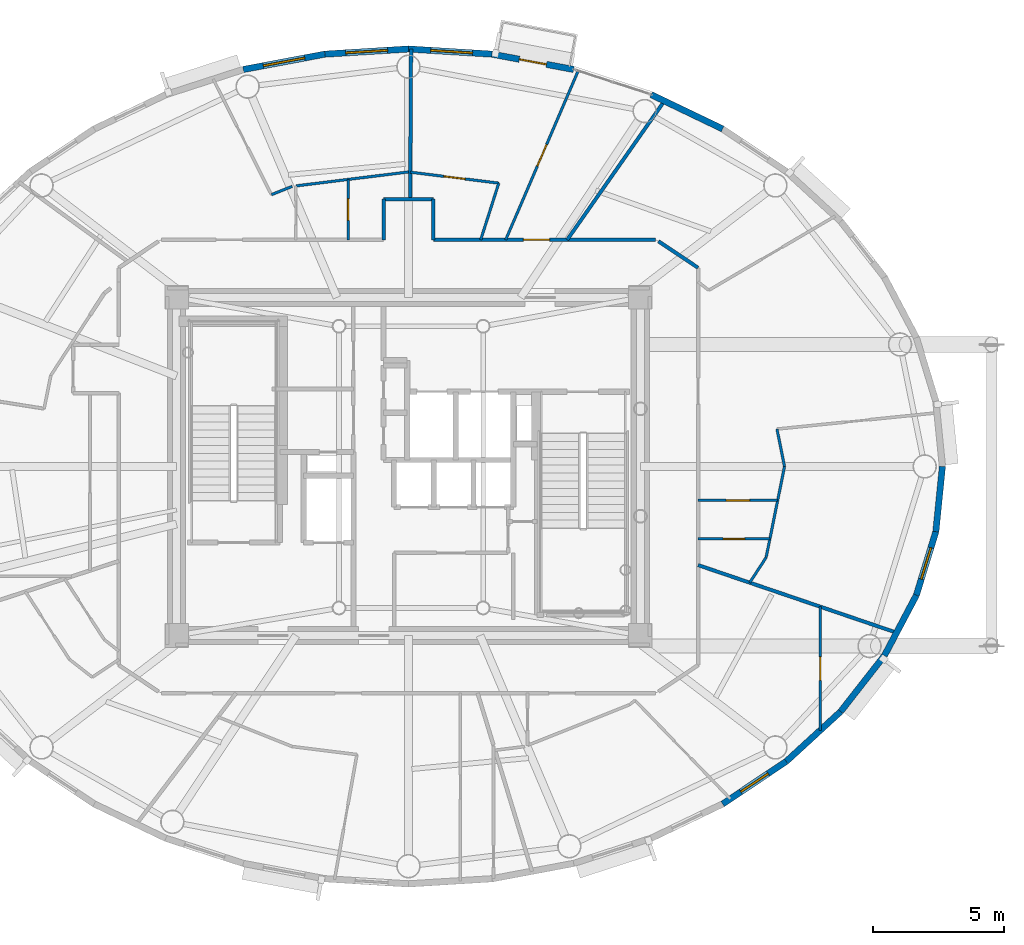
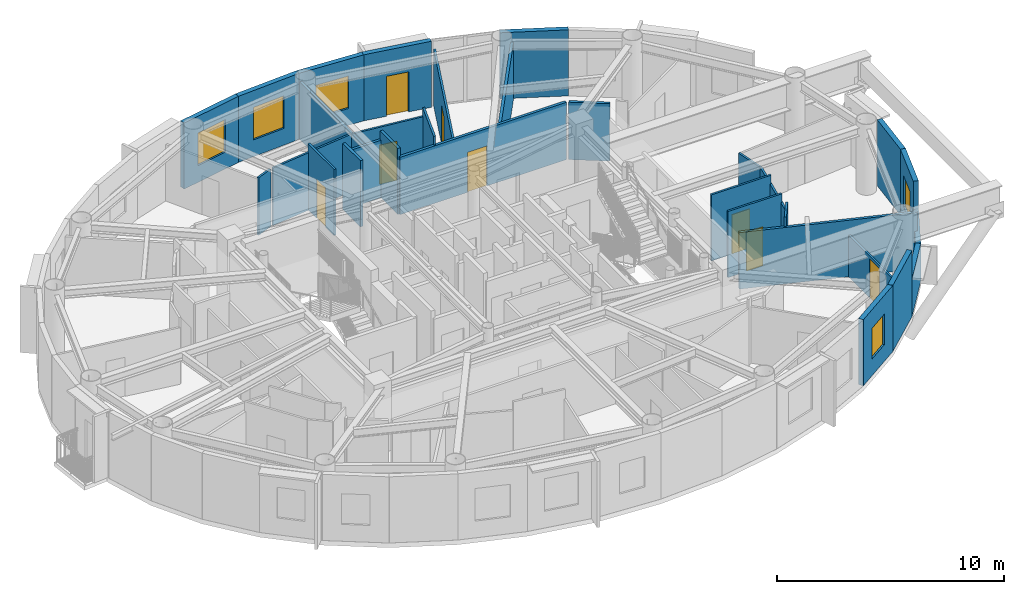
# One storey, part 9 of 17: 31 walls, 8 doors, 5 windows, 13 openings.
"""IFC4 building model written with IfcOpenShell, lengths in metres."""

from ifc_helpers import new_model, si_unit, direction, frame, frame_2d, origin, origin_2d, place, context, subcontext, project, spatial, rectangle, extrude, source, transform, mapped, material, layer, layer_set, type_object, element, fill, save


model = new_model("IFC4")

# Units and contexts
model_context = context("Model", 3, precision=1e-05, world=origin(), true_north=direction((0.0, 1.0)))
body_context = subcontext(model_context, "Body", "Model", "MODEL_VIEW")
ifc_project = project(units=[si_unit("LENGTHUNIT", "METRE"), si_unit("AREAUNIT", "SQUARE_METRE"), si_unit("VOLUMEUNIT", "CUBIC_METRE"), si_unit("PLANEANGLEUNIT", "RADIAN"), si_unit("MASSUNIT", "GRAM", prefix="KILO")], contexts=[model_context])

# Site, building, storey
site_placement = place(None, origin())
site = spatial("IfcSite", under=ifc_project, at=site_placement, CompositionType="ELEMENT")
building_placement = place(site_placement, origin())
building = spatial("IfcBuilding", under=site, at=building_placement, Name="Linh Dai School and Residence Tower", CompositionType="ELEMENT")
storey_placement = place(building_placement, frame((0.0, 0.0, 335.39990234375)))
storey = spatial("IfcBuildingStorey", under=building, at=storey_placement, Name="L83", CompositionType="ELEMENT", Elevation=335.39990234375)

# Wall
ifc_material_1 = material(Name="Precast Concrete B45 (C35/45)", Category="concrete")
ifc_layer_1 = layer(ifc_material_1, 0.239990234375)
ifc_layer_set_1 = layer_set([ifc_layer_1], Name="Precast Concrete B45 (C35/45)")
wall_type_1 = type_object("IfcWallType", Name="EW-TC-240", PredefinedType="SOLIDWALL", material=ifc_layer_set_1)
wall_1_placement = place(storey_placement, frame((45.260498046875, 41.18896484375, 0.0), z_axis=(0.0, 0.0, 1.0), x_axis=(0.901557057889, -0.432660226241, 0.0)))
element("IfcWall", 1, at=wall_1_placement, inside=storey, type_object=wall_type_1, Name="L83 Terracotta Exterior Wall 07", PredefinedType="SOLIDWALL", context=body_context, shape_type="SweptSolid", body=[
    extrude(rectangle(XDim=3.025146484375, YDim=0.239990234375, at=frame_2d((1.5126953125, 0.0))), origin(), (0.0, 0.0, 1.0), 3.550048828125),
])

# Wall, opening, door
wall_2_placement = place(storey_placement, frame((39.19140625, 42.7333984375, 0.0), z_axis=(0.0, 0.0, 1.0), x_axis=(0.98276643264, -0.184851667226, 0.0)))
wall_2 = element("IfcWall", 2, at=wall_2_placement, inside=storey, type_object=wall_type_1, Name="L83 Terracotta Exterior Wall 09", PredefinedType="SOLIDWALL", context=body_context, shape_type="SweptSolid", body=[
    extrude(rectangle(XDim=3.167236328125, YDim=0.239990234375, at=frame_2d((1.58349609375, 0.0))), origin(), (0.0, 0.0, 1.0), 3.550048828125),
])
opening_1_placement = place(wall_2_placement, frame((1.05859375, 0.0, 0.0)))
opening_1 = element("IfcOpeningElement", 3, at=opening_1_placement, cuts=wall_2, Name="Opening BD1", PredefinedType="OPENING", context=body_context, shape_type="SweptSolid", body=[
    extrude(rectangle(XDim=1.050048828125, YDim=2.14990234375, at=origin_2d()), frame((0.52490234375, 0.1298828125, 1.074951171875), z_axis=(0.0, -1.0, 0.0), x_axis=(1.0, 0.0, 0.0)), (0.0, 0.0, 1.0), 0.260009765625),
])
ifc_material_2 = material(Name="Double-Glazed Balcony Door", Category="glass")
door_type_1 = type_object("IfcDoorType", Name="DR-BALC-1050x2150", OperationType="NOTDEFINED", PredefinedType="DOOR", material=ifc_material_2)
shared_shape_1 = source(origin(), body_context, "Body", "SweptSolid", [
    extrude(rectangle(XDim=1.050048828125, YDim=2.14990234375, at=origin_2d()), frame((0.52490234375, 0.02490234375, 1.074951171875), z_axis=(0.0, -1.0, 0.0), x_axis=(1.0, 0.0, 0.0)), (0.0, 0.0, 1.0), 0.050048828125),
])
door_1_placement = place(opening_1_placement, origin())
door_1 = element("IfcDoor", 4, at=door_1_placement, inside=storey, type_object=door_type_1, Name="L83 Glazed Balcony Door 09", OperationType="SINGLE_SWING_RIGHT", OverallHeight=2.14990234375, OverallWidth=1.050048828125, PredefinedType="DOOR", context=body_context, shape_type="MappedRepresentation", body=[
    mapped(shared_shape_1, transform((0.0, 0.0, 0.0), x_axis=(1.0, 0.0, 0.0), y_axis=(0.0, 1.0, 0.0), z_axis=(0.0, 0.0, 1.0), scale=1.0)),
])
fill(opening_1, door_1)

# Wall, opening, window
wall_3_placement = place(storey_placement, frame((36.0, 42.929931640625, 0.0), z_axis=(0.0, 0.0, 1.0), x_axis=(0.998109204399, -0.061465568355, 0.0)))
wall_3 = element("IfcWall", 5, at=wall_3_placement, inside=storey, type_object=wall_type_1, Name="L83 Terracotta Exterior Wall 10", PredefinedType="SOLIDWALL", context=body_context, shape_type="SweptSolid", body=[
    extrude(rectangle(XDim=3.197509765625, YDim=0.239990234375, at=frame_2d((1.5986328125, 0.0))), origin(), (0.0, 0.0, 1.0), 3.550048828125),
])
opening_2_placement = place(wall_3_placement, frame((0.847900390625, 0.0, 0.89990234375)))
opening_2 = element("IfcOpeningElement", 6, at=opening_2_placement, cuts=wall_3, Name="Opening W2", PredefinedType="OPENING", context=body_context, shape_type="SweptSolid", body=[
    extrude(rectangle(XDim=1.60009765625, YDim=1.75, at=origin_2d()), frame((0.800048828125, 0.1298828125, 0.875), z_axis=(0.0, -1.0, 0.0), x_axis=(1.0, 0.0, 0.0)), (0.0, 0.0, 1.0), 0.260009765625),
])
ifc_material_3 = material(Name="Double Low-E Insulated Glazing", Category="glass")
window_type_1 = type_object("IfcWindowType", Name="WN-RES-1600x1750", PartitioningType="DOUBLE_PANEL_VERTICAL", PredefinedType="WINDOW", material=ifc_material_3)
shared_shape_2 = source(origin(), body_context, "Body", "SweptSolid", [
    extrude(rectangle(XDim=1.60009765625, YDim=1.75, at=origin_2d()), frame((0.800048828125, 0.030029296875, 0.875), z_axis=(0.0, -1.0, 0.0), x_axis=(1.0, 0.0, 0.0)), (0.0, 0.0, 1.0), 0.06005859375),
])
window_1_placement = place(opening_2_placement, origin())
window_1 = element("IfcWindow", 7, at=window_1_placement, inside=storey, type_object=window_type_1, Name="L83 Exterior Window 10.1", OverallHeight=1.75, OverallWidth=1.60009765625, PartitioningType="DOUBLE_PANEL_VERTICAL", PredefinedType="WINDOW", context=body_context, shape_type="MappedRepresentation", body=[
    mapped(shared_shape_2, transform((0.0, 0.0, 0.0), x_axis=(1.0, 0.0, 0.0), y_axis=(0.0, 1.0, 0.0), z_axis=(0.0, 0.0, 1.0), scale=1.0)),
])
fill(opening_2, window_1)

wall_4_placement = place(storey_placement, frame((32.80859375, 42.7333984375, 0.0), z_axis=(0.0, 0.0, 1.0), x_axis=(0.998109204399, 0.061465568355, 0.0)))
wall_4 = element("IfcWall", 8, at=wall_4_placement, inside=storey, type_object=wall_type_1, Name="L83 Terracotta Exterior Wall 11", PredefinedType="SOLIDWALL", context=body_context, shape_type="SweptSolid", body=[
    extrude(rectangle(XDim=3.197509765625, YDim=0.239990234375, at=frame_2d((1.5986328125, 0.0))), origin(), (0.0, 0.0, 1.0), 3.550048828125),
])
opening_3_placement = place(wall_4_placement, frame((0.798828125, 0.0, 0.89990234375)))
opening_3 = element("IfcOpeningElement", 9, at=opening_3_placement, cuts=wall_4, Name="Opening W2", PredefinedType="OPENING", context=body_context, shape_type="SweptSolid", body=[
    extrude(rectangle(XDim=1.60009765625, YDim=1.75, at=origin_2d()), frame((0.800048828125, 0.1298828125, 0.875), z_axis=(0.0, -1.0, 0.0), x_axis=(1.0, 0.0, 0.0)), (0.0, 0.0, 1.0), 0.260009765625),
])
window_2_placement = place(opening_3_placement, origin())
window_2 = element("IfcWindow", 10, at=window_2_placement, inside=storey, type_object=window_type_1, Name="L83 Exterior Window 11.1", OverallHeight=1.75, OverallWidth=1.60009765625, PartitioningType="DOUBLE_PANEL_VERTICAL", PredefinedType="WINDOW", context=body_context, shape_type="MappedRepresentation", body=[
    mapped(shared_shape_2, transform((0.0, 0.0, 0.0), x_axis=(1.0, 0.0, 0.0), y_axis=(0.0, 1.0, 0.0), z_axis=(0.0, 0.0, 1.0), scale=1.0)),
])
fill(opening_3, window_2)

wall_5_placement = place(storey_placement, frame((29.696044921875, 42.14794921875, 0.0), z_axis=(0.0, 0.0, 1.0), x_axis=(0.98276643264, 0.184851667226, 0.0)))
wall_5 = element("IfcWall", 11, at=wall_5_placement, inside=storey, type_object=wall_type_1, Name="L83 Terracotta Exterior Wall 12", PredefinedType="SOLIDWALL", context=body_context, shape_type="SweptSolid", body=[
    extrude(rectangle(XDim=3.167236328125, YDim=0.239990234375, at=frame_2d((1.58349609375, 0.0))), origin(), (0.0, 0.0, 1.0), 3.550048828125),
])
opening_4_placement = place(wall_5_placement, frame((0.78369140625, 0.0, 0.89990234375)))
opening_4 = element("IfcOpeningElement", 12, at=opening_4_placement, cuts=wall_5, Name="Opening W2", PredefinedType="OPENING", context=body_context, shape_type="SweptSolid", body=[
    extrude(rectangle(XDim=1.60009765625, YDim=1.75, at=origin_2d()), frame((0.800048828125, 0.1298828125, 0.875), z_axis=(0.0, -1.0, 0.0), x_axis=(1.0, 0.0, 0.0)), (0.0, 0.0, 1.0), 0.260009765625),
])
window_3_placement = place(opening_4_placement, origin())
window_3 = element("IfcWindow", 13, at=window_3_placement, inside=storey, type_object=window_type_1, Name="L83 Exterior Window 12.1", OverallHeight=1.75, OverallWidth=1.60009765625, PartitioningType="DOUBLE_PANEL_VERTICAL", PredefinedType="WINDOW", context=body_context, shape_type="MappedRepresentation", body=[
    mapped(shared_shape_2, transform((0.0, 0.0, 0.0), x_axis=(1.0, 0.0, 0.0), y_axis=(0.0, 1.0, 0.0), z_axis=(0.0, 0.0, 1.0), scale=1.0)),
])
fill(opening_4, window_3)

wall_6_placement = place(storey_placement, frame((50.418701171875, 15.745849609375, 0.0), z_axis=(0.0, 0.0, 1.0), x_axis=(-0.831201688654, -0.555970999944, 0.0)))
wall_6 = element("IfcWall", 14, at=wall_6_placement, inside=storey, type_object=wall_type_1, Name="L83 Terracotta Exterior Wall 35", PredefinedType="SOLIDWALL", context=body_context, shape_type="SweptSolid", body=[
    extrude(rectangle(XDim=2.924560546875, YDim=0.239990234375, at=frame_2d((1.46240234375, 0.0))), origin(), (0.0, 0.0, 1.0), 3.550048828125),
])
opening_5_placement = place(wall_6_placement, frame((0.837158203125, 0.0, 0.89990234375)))
opening_5 = element("IfcOpeningElement", 15, at=opening_5_placement, cuts=wall_6, Name="Opening W3", PredefinedType="OPENING", context=body_context, shape_type="SweptSolid", body=[
    extrude(rectangle(XDim=1.25, YDim=1.64990234375, at=origin_2d()), frame((0.625, 0.1298828125, 0.824951171875), z_axis=(0.0, -1.0, 0.0), x_axis=(1.0, 0.0, 0.0)), (0.0, 0.0, 1.0), 0.260009765625),
])
window_type_2 = type_object("IfcWindowType", Name="WN-RES-1250x1650", PartitioningType="SINGLE_PANEL", PredefinedType="WINDOW", material=ifc_material_3)
shared_shape_3 = source(origin(), body_context, "Body", "SweptSolid", [
    extrude(rectangle(XDim=1.25, YDim=1.64990234375, at=origin_2d()), frame((0.625, 0.030029296875, 0.824951171875), z_axis=(0.0, -1.0, 0.0), x_axis=(1.0, 0.0, 0.0)), (0.0, 0.0, 1.0), 0.06005859375),
])
window_4_placement = place(opening_5_placement, origin())
window_4 = element("IfcWindow", 16, at=window_4_placement, inside=storey, type_object=window_type_2, Name="L83 Dwelling Window U8306-LIV", OverallHeight=1.64990234375, OverallWidth=1.25, PartitioningType="SINGLE_PANEL", PredefinedType="WINDOW", context=body_context, shape_type="MappedRepresentation", body=[
    mapped(shared_shape_3, transform((0.0, 0.0, 0.0), x_axis=(1.0, 0.0, 0.0), y_axis=(0.0, 1.0, 0.0), z_axis=(0.0, 0.0, 1.0), scale=1.0)),
])
fill(opening_5, window_4)

# Walls
wall_7_placement = place(storey_placement, frame((52.4931640625, 17.648193359375, 0.0), z_axis=(0.0, 0.0, 1.0), x_axis=(-0.737020907932, -0.675869944051, 0.0)))
element("IfcWall", 17, at=wall_7_placement, inside=storey, type_object=wall_type_1, Name="L83 Terracotta Exterior Wall 36", PredefinedType="SOLIDWALL", context=body_context, shape_type="SweptSolid", body=[
    extrude(rectangle(XDim=2.814697265625, YDim=0.239990234375, at=frame_2d((1.4072265625, 0.0))), origin(), (0.0, 0.0, 1.0), 3.550048828125),
])
wall_8_placement = place(storey_placement, frame((54.160888671875, 19.779296875, 0.0), z_axis=(0.0, 0.0, 1.0), x_axis=(-0.616286367698, -0.78752213492, 0.0)))
element("IfcWall", 18, at=wall_8_placement, inside=storey, type_object=wall_type_1, Name="L83 Terracotta Exterior Wall 37", PredefinedType="SOLIDWALL", context=body_context, shape_type="SweptSolid", body=[
    extrude(rectangle(XDim=2.7060546875, YDim=0.239990234375, at=frame_2d((1.35302734375, 0.0))), origin(), (0.0, 0.0, 1.0), 2.03515625),
])
wall_9_placement = place(storey_placement, frame((55.381103515625, 22.086669921875, 0.0), z_axis=(0.0, 0.0, 1.0), x_axis=(-0.467487999989, -0.883999417345, 0.0)))
element("IfcWall", 19, at=wall_9_placement, inside=storey, type_object=wall_type_1, Name="L83 Terracotta Exterior Wall 38", PredefinedType="SOLIDWALL", context=body_context, shape_type="SweptSolid", body=[
    extrude(rectangle(XDim=2.610107421875, YDim=0.239990234375, at=frame_2d((1.30517578125, 0.0))), origin(), (0.0, 0.0, 1.0), 2.03515625),
])

# Wall, opening, window
wall_10_placement = place(storey_placement, frame((56.125, 24.51318359375, 0.0), z_axis=(0.0, 0.0, 1.0), x_axis=(-0.293105547213, -0.956080089842, 0.0)))
wall_10 = element("IfcWall", 20, at=wall_10_placement, inside=storey, type_object=wall_type_1, Name="L83 Terracotta Exterior Wall 39", PredefinedType="SOLIDWALL", context=body_context, shape_type="SweptSolid", body=[
    extrude(rectangle(XDim=2.5380859375, YDim=0.239990234375, at=frame_2d((1.26904296875, 0.0))), origin(), (0.0, 0.0, 1.0), 3.550048828125),
])
opening_6_placement = place(wall_10_placement, frame((0.64404296875, 0.0, 0.89990234375)))
opening_6 = element("IfcOpeningElement", 21, at=opening_6_placement, cuts=wall_10, Name="Opening W3", PredefinedType="OPENING", context=body_context, shape_type="SweptSolid", body=[
    extrude(rectangle(XDim=1.25, YDim=1.64990234375, at=origin_2d()), frame((0.625, 0.1298828125, 0.824951171875), z_axis=(0.0, -1.0, 0.0), x_axis=(1.0, 0.0, 0.0)), (0.0, 0.0, 1.0), 0.260009765625),
])
window_5_placement = place(opening_6_placement, origin())
window_5 = element("IfcWindow", 22, at=window_5_placement, inside=storey, type_object=window_type_2, Name="L83 Dwelling Window U8307-BD1", OverallHeight=1.64990234375, OverallWidth=1.25, PartitioningType="SINGLE_PANEL", PredefinedType="WINDOW", context=body_context, shape_type="MappedRepresentation", body=[
    mapped(shared_shape_3, transform((0.0, 0.0, 0.0), x_axis=(1.0, 0.0, 0.0), y_axis=(0.0, 1.0, 0.0), z_axis=(0.0, 0.0, 1.0), scale=1.0)),
])
fill(opening_6, window_5)

# Walls
wall_11_placement = place(storey_placement, frame((56.375, 27.0, 0.0), z_axis=(0.0, 0.0, 1.0), x_axis=(-0.100025963401, -0.994984827344, 0.0)))
element("IfcWall", 23, at=wall_11_placement, inside=storey, type_object=wall_type_1, Name="L83 Terracotta Exterior Wall 40", PredefinedType="SOLIDWALL", context=body_context, shape_type="SweptSolid", body=[
    extrude(rectangle(XDim=2.499267578125, YDim=0.239990234375, at=frame_2d((1.24951171875, 0.0))), origin(), (0.0, 0.0, 1.0), 3.550048828125),
])
ifc_material_4 = material(Name="Autoclaved Aerated Concrete Blockwork", Category="masonry")
ifc_layer_2 = layer(ifc_material_4, 0.135009765625)
ifc_layer_set_2 = layer_set([ifc_layer_2], Name="Autoclaved Aerated Concrete Blockwork")
wall_type_2 = type_object("IfcWallType", Name="IW-CORR-135-EI90", PredefinedType="PARTITIONING", material=ifc_layer_set_2)
wall_12_placement = place(storey_placement, frame((35.050048828125, 35.64990234375, 0.0), z_axis=(0.0, 0.0, 1.0), x_axis=(0.0, 1.0, 0.0)))
element("IfcWall", 24, at=wall_12_placement, inside=storey, type_object=wall_type_2, Name="L83 Interior Partition Wall 046", PredefinedType="PARTITIONING", context=body_context, shape_type="SweptSolid", body=[
    extrude(rectangle(XDim=1.550048828125, YDim=0.135009765625, at=frame_2d((0.77490234375, 0.0))), origin(), (0.0, 0.0, 1.0), 3.550048828125),
])
wall_13_placement = place(storey_placement, frame((35.050048828125, 37.199951171875, 0.0), z_axis=(0.0, 0.0, 1.0), x_axis=(1.0, 0.0, 0.0)))
element("IfcWall", 25, at=wall_13_placement, inside=storey, type_object=wall_type_2, Name="L83 Interior Partition Wall 047", PredefinedType="PARTITIONING", context=body_context, shape_type="SweptSolid", body=[
    extrude(rectangle(XDim=1.89990234375, YDim=0.135009765625, at=frame_2d((0.949951171875, 0.0))), origin(), (0.0, 0.0, 1.0), 3.085205078125),
])
wall_14_placement = place(storey_placement, frame((36.063232421875, 37.199951171875, 0.0), z_axis=(0.0, 0.0, 1.0), x_axis=(0.006221912379, 0.999980643716, 0.0)))
element("IfcWall", 26, at=wall_14_placement, inside=storey, type_object=wall_type_2, Name="L83 Interior Partition Wall 054", PredefinedType="PARTITIONING", context=body_context, shape_type="SweptSolid", body=[
    extrude(rectangle(XDim=5.728759765625, YDim=0.135009765625, at=frame_2d((2.8642578125, 0.0))), origin(), (0.0, 0.0, 1.0), 3.085205078125),
])
wall_15_placement = place(storey_placement, frame((36.949951171875, 35.64990234375, 0.0), z_axis=(0.0, 0.0, 1.0), x_axis=(0.0, 1.0, 0.0)))
element("IfcWall", 27, at=wall_15_placement, inside=storey, type_object=wall_type_2, Name="L83 Interior Partition Wall 056", PredefinedType="PARTITIONING", context=body_context, shape_type="SweptSolid", body=[
    extrude(rectangle(XDim=1.550048828125, YDim=0.135009765625, at=frame_2d((0.77490234375, 0.0))), origin(), (0.0, 0.0, 1.0), 3.550048828125),
])

# Wall, opening, door
wall_16_placement = place(storey_placement, frame((36.949951171875, 35.64990234375, 0.0), z_axis=(0.0, 0.0, 1.0), x_axis=(1.0, 0.0, 0.0)))
wall_16 = element("IfcWall", 28, at=wall_16_placement, inside=storey, type_object=wall_type_2, Name="L83 Interior Partition Wall 057", PredefinedType="PARTITIONING", context=body_context, shape_type="SweptSolid", body=[
    extrude(rectangle(XDim=8.469970703125, YDim=0.135009765625, at=frame_2d((4.23486328125, 0.0))), origin(), (0.0, 0.0, 1.0), 3.085205078125),
])
opening_7_placement = place(wall_16_placement, frame((3.43408203125, 0.0, 0.0)))
opening_7 = element("IfcOpeningElement", 29, at=opening_7_placement, cuts=wall_16, Name="Opening D03", PredefinedType="OPENING", context=body_context, shape_type="SweptSolid", body=[
    extrude(rectangle(XDim=1.0, YDim=2.14990234375, at=origin_2d()), frame((0.5, 0.07763671875, 1.074951171875), z_axis=(0.0, -1.0, 0.0), x_axis=(1.0, 0.0, 0.0)), (0.0, 0.0, 1.0), 0.155029296875),
])
ifc_material_5 = material(Name="Fire-Rated Solid Timber Entrance Door", Category="wood")
door_type_2 = type_object("IfcDoorType", Name="DR-FLAT-1000x2150-FD60S", OperationType="NOTDEFINED", PredefinedType="DOOR", material=ifc_material_5)
shared_shape_4 = source(origin(), body_context, "Body", "SweptSolid", [
    extrude(rectangle(XDim=1.0, YDim=2.14990234375, at=origin_2d()), frame((0.5, 0.02490234375, 1.074951171875), z_axis=(0.0, -1.0, 0.0), x_axis=(1.0, 0.0, 0.0)), (0.0, 0.0, 1.0), 0.050048828125),
])
door_2_placement = place(opening_7_placement, origin())
door_2 = element("IfcDoor", 30, at=door_2_placement, inside=storey, type_object=door_type_2, Name="L83 U8301 Apartment Entrance Door", OperationType="SINGLE_SWING_RIGHT", OverallHeight=2.14990234375, OverallWidth=1.0, PredefinedType="DOOR", context=body_context, shape_type="MappedRepresentation", body=[
    mapped(shared_shape_4, transform((0.0, 0.0, 0.0), x_axis=(1.0, 0.0, 0.0), y_axis=(0.0, 1.0, 0.0), z_axis=(0.0, 0.0, 1.0), scale=1.0)),
])
fill(opening_7, door_2)

# Walls
wall_17_placement = place(storey_placement, frame((42.056884765625, 35.64990234375, 0.0), z_axis=(0.0, 0.0, 1.0), x_axis=(0.57355349769, 0.819168105634, 0.0)))
element("IfcWall", 31, at=wall_17_placement, inside=storey, type_object=wall_type_2, Name="L83 Interior Partition Wall 076", PredefinedType="PARTITIONING", context=body_context, shape_type="SweptSolid", body=[
    extrude(rectangle(XDim=6.470947265625, YDim=0.135009765625, at=frame_2d((3.2353515625, 0.0))), origin(), (0.0, 0.0, 1.0), 3.03515625),
])
wall_18_placement = place(storey_placement, frame((45.541259765625, 35.591796875, 0.0), z_axis=(0.0, 0.0, 1.0), x_axis=(0.831180227396, -0.556003084151, 0.0)))
element("IfcWall", 32, at=wall_18_placement, inside=storey, type_object=wall_type_2, Name="L83 Interior Partition Wall 080", PredefinedType="PARTITIONING", context=body_context, shape_type="SweptSolid", body=[
    extrude(rectangle(XDim=1.815185546875, YDim=0.135009765625, at=frame_2d((0.90771484375, 0.0))), origin(), (0.0, 0.0, 1.0), 3.085205078125),
])
wall_19_placement = place(storey_placement, frame((47.050048828125, 23.236572265625, 0.0), z_axis=(0.0, 0.0, 1.0), x_axis=(0.946614475353, -0.32236785673, 0.0)))
element("IfcWall", 33, at=wall_19_placement, inside=storey, type_object=wall_type_2, Name="L83 Interior Partition Wall 082", PredefinedType="PARTITIONING", context=body_context, shape_type="SweptSolid", body=[
    extrude(rectangle(XDim=8.00732421875, YDim=0.135009765625, at=frame_2d((4.003662109375, 0.0))), origin(), (0.0, 0.0, 1.0), 3.03515625),
])
ifc_material_6 = material(Name="Gypsum Plasterboard Acoustic Stud Partition", Category="masonry")
ifc_layer_3 = layer(ifc_material_6, 0.10009765625)
ifc_layer_set_3 = layer_set([ifc_layer_3], Name="Gypsum Plasterboard Acoustic Stud Partition")
wall_type_3 = type_object("IfcWallType", Name="IW-UNIT-100", PredefinedType="PARTITIONING", material=ifc_layer_set_3)
wall_20_placement = place(storey_placement, frame((30.770751953125, 37.371337890625, 0.0), z_axis=(0.0, 0.0, 1.0), x_axis=(0.928810758689, 0.370554415091, 0.0)))
element("IfcWall", 34, at=wall_20_placement, inside=storey, type_object=wall_type_3, Name="L83 Interior Partition Wall 026", PredefinedType="PARTITIONING", context=body_context, shape_type="SweptSolid", body=[
    extrude(rectangle(XDim=0.85595703125, YDim=0.10009765625, at=frame_2d((0.427978515625, 0.0))), origin(), (0.0, 0.0, 1.0), 3.085205078125),
])
wall_21_placement = place(storey_placement, frame((31.704345703125, 37.70556640625, 0.0), z_axis=(0.0, 0.0, 1.0), x_axis=(0.992391131504, 0.123125310604, 0.0)))
element("IfcWall", 35, at=wall_21_placement, inside=storey, type_object=wall_type_3, Name="L83 Interior Partition Wall 032", PredefinedType="PARTITIONING", context=body_context, shape_type="SweptSolid", body=[
    extrude(rectangle(XDim=4.32861328125, YDim=0.10009765625, at=frame_2d((2.164306640625, 0.0))), origin(), (0.0, 0.0, 1.0), 3.085205078125),
])

# Wall, opening, door
wall_22_placement = place(storey_placement, frame((33.697265625, 35.64990234375, 0.0), z_axis=(0.0, 0.0, 1.0), x_axis=(0.0, 1.0, 0.0)))
wall_22 = element("IfcWall", 36, at=wall_22_placement, inside=storey, type_object=wall_type_3, Name="L83 Interior Partition Wall 037", PredefinedType="PARTITIONING", context=body_context, shape_type="SweptSolid", body=[
    extrude(rectangle(XDim=2.302978515625, YDim=0.10009765625, at=frame_2d((1.1513671875, 0.0))), origin(), (0.0, 0.0, 1.0), 3.550048828125),
])
opening_8_placement = place(wall_22_placement, frame((0.741455078125, 0.0, 0.0)))
opening_8 = element("IfcOpeningElement", 37, at=opening_8_placement, cuts=wall_22, Name="Opening D06", PredefinedType="OPENING", context=body_context, shape_type="SweptSolid", body=[
    extrude(rectangle(XDim=0.820068359375, YDim=2.10009765625, at=origin_2d()), frame((0.41015625, 0.06005859375, 1.050048828125), z_axis=(0.0, -1.0, 0.0), x_axis=(1.0, 0.0, 0.0)), (0.0, 0.0, 1.0), 0.1201171875),
])
ifc_material_7 = material(Name="Moisture-Resistant Timber Bathroom Door", Category="wood")
door_type_3 = type_object("IfcDoorType", Name="DR-WET-820x2100", OperationType="NOTDEFINED", PredefinedType="DOOR", material=ifc_material_7)
shared_shape_5 = source(origin(), body_context, "Body", "SweptSolid", [
    extrude(rectangle(XDim=0.820068359375, YDim=2.10009765625, at=origin_2d()), frame((0.41015625, 0.02490234375, 1.050048828125), z_axis=(0.0, -1.0, 0.0), x_axis=(1.0, 0.0, 0.0)), (0.0, 0.0, 1.0), 0.050048828125),
])
door_3_placement = place(opening_8_placement, origin())
door_3 = element("IfcDoor", 38, at=door_3_placement, inside=storey, type_object=door_type_3, Name="L83 Apartment U8302 Bathroom 1 Door", OperationType="SINGLE_SWING_RIGHT", OverallHeight=2.10009765625, OverallWidth=0.820068359375, PredefinedType="DOOR", context=body_context, shape_type="MappedRepresentation", body=[
    mapped(shared_shape_5, transform((0.0, 0.0, 0.0), x_axis=(1.0, 0.0, 0.0), y_axis=(0.0, 1.0, 0.0), z_axis=(0.0, 0.0, 1.0), scale=1.0)),
])
fill(opening_8, door_3)

wall_23_placement = place(storey_placement, frame((36.06982421875, 38.229736328125, 0.0), z_axis=(0.0, 0.0, 1.0), x_axis=(0.992395574795, -0.123089492354, 0.0)))
wall_23 = element("IfcWall", 39, at=wall_23_placement, inside=storey, type_object=wall_type_3, Name="L83 Interior Partition Wall 055", PredefinedType="PARTITIONING", context=body_context, shape_type="SweptSolid", body=[
    extrude(rectangle(XDim=3.401611328125, YDim=0.10009765625, at=frame_2d((1.70068359375, 0.0))), origin(), (0.0, 0.0, 1.0), 3.085205078125),
])
opening_9_placement = place(wall_23_placement, frame((1.291015625, 0.0, 0.0)))
opening_9 = element("IfcOpeningElement", 40, at=opening_9_placement, cuts=wall_23, Name="Opening D06", PredefinedType="OPENING", context=body_context, shape_type="SweptSolid", body=[
    extrude(rectangle(XDim=0.820068359375, YDim=2.10009765625, at=origin_2d()), frame((0.41015625, 0.06005859375, 1.050048828125), z_axis=(0.0, -1.0, 0.0), x_axis=(1.0, 0.0, 0.0)), (0.0, 0.0, 1.0), 0.1201171875),
])
door_4_placement = place(opening_9_placement, origin())
door_4 = element("IfcDoor", 41, at=door_4_placement, inside=storey, type_object=door_type_3, Name="L83 Apartment U8301 Bathroom Door", OperationType="SINGLE_SWING_RIGHT", OverallHeight=2.10009765625, OverallWidth=0.820068359375, PredefinedType="DOOR", context=body_context, shape_type="MappedRepresentation", body=[
    mapped(shared_shape_5, transform((0.0, 0.0, 0.0), x_axis=(1.0, 0.0, 0.0), y_axis=(0.0, 1.0, 0.0), z_axis=(0.0, 0.0, 1.0), scale=1.0)),
])
fill(opening_9, door_4)

# Wall
wall_24_placement = place(storey_placement, frame((38.7568359375, 35.64990234375, 0.0), z_axis=(0.0, 0.0, 1.0), x_axis=(0.303639013206, 0.952787148139, 0.0)))
element("IfcWall", 42, at=wall_24_placement, inside=storey, type_object=wall_type_3, Name="L83 Interior Partition Wall 063", PredefinedType="PARTITIONING", context=body_context, shape_type="SweptSolid", body=[
    extrude(rectangle(XDim=2.268310546875, YDim=0.10009765625, at=frame_2d((1.13427734375, 0.0))), origin(), (0.0, 0.0, 1.0), 3.550048828125),
])

# Wall, opening, door
wall_25_placement = place(storey_placement, frame((39.711181640625, 35.64990234375, 0.0), z_axis=(0.0, 0.0, 1.0), x_axis=(0.39425107449, 0.919002769454, 0.0)))
wall_25 = element("IfcWall", 43, at=wall_25_placement, inside=storey, type_object=wall_type_3, Name="L83 Interior Partition Wall 067", PredefinedType="PARTITIONING", context=body_context, shape_type="SweptSolid", body=[
    extrude(rectangle(XDim=7.015380859375, YDim=0.10009765625, at=frame_2d((3.5078125, 0.0))), origin(), (0.0, 0.0, 1.0), 3.03515625),
])
opening_10_placement = place(wall_25_placement, frame((3.0576171875, 0.0, 0.0)))
opening_10 = element("IfcOpeningElement", 44, at=opening_10_placement, cuts=wall_25, Name="Opening D05", PredefinedType="OPENING", context=body_context, shape_type="SweptSolid", body=[
    extrude(rectangle(XDim=0.89990234375, YDim=2.10009765625, at=origin_2d()), frame((0.449951171875, 0.06005859375, 1.050048828125), z_axis=(0.0, -1.0, 0.0), x_axis=(1.0, 0.0, 0.0)), (0.0, 0.0, 1.0), 0.1201171875),
])
ifc_material_8 = material(Name="Engineered Timber Internal Door", Category="wood")
door_type_4 = type_object("IfcDoorType", Name="DR-INT-900x2100", OperationType="NOTDEFINED", PredefinedType="DOOR", material=ifc_material_8)
shared_shape_6 = source(origin(), body_context, "Body", "SweptSolid", [
    extrude(rectangle(XDim=0.89990234375, YDim=2.10009765625, at=origin_2d()), frame((0.449951171875, 0.02490234375, 1.050048828125), z_axis=(0.0, -1.0, 0.0), x_axis=(1.0, 0.0, 0.0)), (0.0, 0.0, 1.0), 0.050048828125),
])
door_5_placement = place(opening_10_placement, origin())
door_5 = element("IfcDoor", 45, at=door_5_placement, inside=storey, type_object=door_type_4, Name="L83 Apartment U8301 Skyhome Studio Door", OperationType="SINGLE_SWING_LEFT", OverallHeight=2.10009765625, OverallWidth=0.89990234375, PredefinedType="DOOR", context=body_context, shape_type="MappedRepresentation", body=[
    mapped(shared_shape_6, transform((0.0, 0.0, 0.0), x_axis=(1.0, 0.0, 0.0), y_axis=(0.0, 1.0, 0.0), z_axis=(0.0, 0.0, 1.0), scale=1.0)),
])
fill(opening_10, door_5)

wall_26_placement = place(storey_placement, frame((47.050048828125, 24.2353515625, 0.0), z_axis=(0.0, 0.0, 1.0), x_axis=(1.0, 0.0, 0.0)))
wall_26 = element("IfcWall", 46, at=wall_26_placement, inside=storey, type_object=wall_type_3, Name="L83 Interior Partition Wall 083", PredefinedType="PARTITIONING", context=body_context, shape_type="SweptSolid", body=[
    extrude(rectangle(XDim=2.74072265625, YDim=0.10009765625, at=frame_2d((1.370361328125, 0.0))), origin(), (0.0, 0.0, 1.0), 3.550048828125),
])
opening_11_placement = place(wall_26_placement, frame((0.96044921875, 0.0, 0.0)))
opening_11 = element("IfcOpeningElement", 47, at=opening_11_placement, cuts=wall_26, Name="Opening D06", PredefinedType="OPENING", context=body_context, shape_type="SweptSolid", body=[
    extrude(rectangle(XDim=0.820068359375, YDim=2.10009765625, at=origin_2d()), frame((0.41015625, 0.06005859375, 1.050048828125), z_axis=(0.0, -1.0, 0.0), x_axis=(1.0, 0.0, 0.0)), (0.0, 0.0, 1.0), 0.1201171875),
])
door_6_placement = place(opening_11_placement, origin())
door_6 = element("IfcDoor", 48, at=door_6_placement, inside=storey, type_object=door_type_3, Name="L83 Apartment U8307 Bathroom 1 Door", OperationType="SINGLE_SWING_RIGHT", OverallHeight=2.10009765625, OverallWidth=0.820068359375, PredefinedType="DOOR", context=body_context, shape_type="MappedRepresentation", body=[
    mapped(shared_shape_5, transform((0.0, 0.0, 0.0), x_axis=(1.0, 0.0, 0.0), y_axis=(0.0, 1.0, 0.0), z_axis=(0.0, 0.0, 1.0), scale=1.0)),
])
fill(opening_11, door_6)

wall_27_placement = place(storey_placement, frame((47.050048828125, 25.705078125, 0.0), z_axis=(0.0, 0.0, 1.0), x_axis=(1.0, 0.0, 0.0)))
wall_27 = element("IfcWall", 49, at=wall_27_placement, inside=storey, type_object=wall_type_3, Name="L83 Interior Partition Wall 084", PredefinedType="PARTITIONING", context=body_context, shape_type="SweptSolid", body=[
    extrude(rectangle(XDim=3.0380859375, YDim=0.10009765625, at=frame_2d((1.51904296875, 0.0))), origin(), (0.0, 0.0, 1.0), 3.550048828125),
])
opening_12_placement = place(wall_27_placement, frame((1.069091796875, 0.0, 0.0)))
opening_12 = element("IfcOpeningElement", 50, at=opening_12_placement, cuts=wall_27, Name="Opening D05", PredefinedType="OPENING", context=body_context, shape_type="SweptSolid", body=[
    extrude(rectangle(XDim=0.89990234375, YDim=2.10009765625, at=origin_2d()), frame((0.449951171875, 0.06005859375, 1.050048828125), z_axis=(0.0, -1.0, 0.0), x_axis=(1.0, 0.0, 0.0)), (0.0, 0.0, 1.0), 0.1201171875),
])
door_7_placement = place(opening_12_placement, origin())
door_7 = element("IfcDoor", 51, at=door_7_placement, inside=storey, type_object=door_type_4, Name="L83 Apartment U8307 Kitchen Door", OperationType="SINGLE_SWING_LEFT", OverallHeight=2.10009765625, OverallWidth=0.89990234375, PredefinedType="DOOR", context=body_context, shape_type="MappedRepresentation", body=[
    mapped(shared_shape_6, transform((0.0, 0.0, 0.0), x_axis=(1.0, 0.0, 0.0), y_axis=(0.0, 1.0, 0.0), z_axis=(0.0, 0.0, 1.0), scale=1.0)),
])
fill(opening_12, door_7)

# Walls
wall_28_placement = place(storey_placement, frame((49.021728515625, 22.565185546875, 0.0), z_axis=(0.0, 0.0, 1.0), x_axis=(0.545436909984, 0.838151881957, 0.0)))
element("IfcWall", 52, at=wall_28_placement, inside=storey, type_object=wall_type_3, Name="L83 Interior Partition Wall 087", PredefinedType="PARTITIONING", context=body_context, shape_type="SweptSolid", body=[
    extrude(rectangle(XDim=1.147705078125, YDim=0.10009765625, at=frame_2d((0.57373046875, 0.0))), origin(), (0.0, 0.0, 1.0), 3.550048828125),
])
wall_29_placement = place(storey_placement, frame((49.647705078125, 23.527099609375, 0.0), z_axis=(0.0, 0.0, 1.0), x_axis=(0.198249177906, 0.980151653296, 0.0)))
element("IfcWall", 53, at=wall_29_placement, inside=storey, type_object=wall_type_3, Name="L83 Interior Partition Wall 088", PredefinedType="PARTITIONING", context=body_context, shape_type="SweptSolid", body=[
    extrude(rectangle(XDim=3.54296875, YDim=0.10009765625, at=frame_2d((1.771484375, 0.0))), origin(), (0.0, 0.0, 1.0), 3.085205078125),
])
wall_30_placement = place(storey_placement, frame((50.061279296875, 28.427001953125, 0.0), z_axis=(0.0, 0.0, 1.0), x_axis=(0.198372931515, -0.980126614291, 0.0)))
element("IfcWall", 54, at=wall_30_placement, inside=storey, type_object=wall_type_3, Name="L83 Interior Partition Wall 089", PredefinedType="PARTITIONING", context=body_context, shape_type="SweptSolid", body=[
    extrude(rectangle(XDim=1.4560546875, YDim=0.10009765625, at=frame_2d((0.72802734375, 0.0))), origin(), (0.0, 0.0, 1.0), 3.085205078125),
])

# Wall, opening, door
wall_31_placement = place(storey_placement, frame((51.713134765625, 16.926025390625, 0.0), z_axis=(0.0, 0.0, 1.0), x_axis=(0.0, 1.0, 0.0)))
wall_31 = element("IfcWall", 55, at=wall_31_placement, inside=storey, type_object=wall_type_3, Name="L83 Interior Partition Wall 091", PredefinedType="PARTITIONING", context=body_context, shape_type="SweptSolid", body=[
    extrude(rectangle(XDim=4.722412109375, YDim=0.10009765625, at=frame_2d((2.361328125, 0.0))), origin(), (0.0, 0.0, 1.0), 2.25),
])
opening_13_placement = place(wall_31_placement, frame((1.9111328125, 0.0, 0.0)))
opening_13 = element("IfcOpeningElement", 56, at=opening_13_placement, cuts=wall_31, Name="Opening D05", PredefinedType="OPENING", context=body_context, shape_type="SweptSolid", body=[
    extrude(rectangle(XDim=0.89990234375, YDim=2.10009765625, at=origin_2d()), frame((0.449951171875, 0.06005859375, 1.050048828125), z_axis=(0.0, -1.0, 0.0), x_axis=(1.0, 0.0, 0.0)), (0.0, 0.0, 1.0), 0.1201171875),
])
door_8_placement = place(opening_13_placement, origin())
door_8 = element("IfcDoor", 57, at=door_8_placement, inside=storey, type_object=door_type_4, Name="L83 Apartment U8306 Kitchen Door", OperationType="SINGLE_SWING_LEFT", OverallHeight=2.10009765625, OverallWidth=0.89990234375, PredefinedType="DOOR", context=body_context, shape_type="MappedRepresentation", body=[
    mapped(shared_shape_6, transform((0.0, 0.0, 0.0), x_axis=(1.0, 0.0, 0.0), y_axis=(0.0, 1.0, 0.0), z_axis=(0.0, 0.0, 1.0), scale=1.0)),
])
fill(opening_13, door_8)

save(model, "model.ifc")
